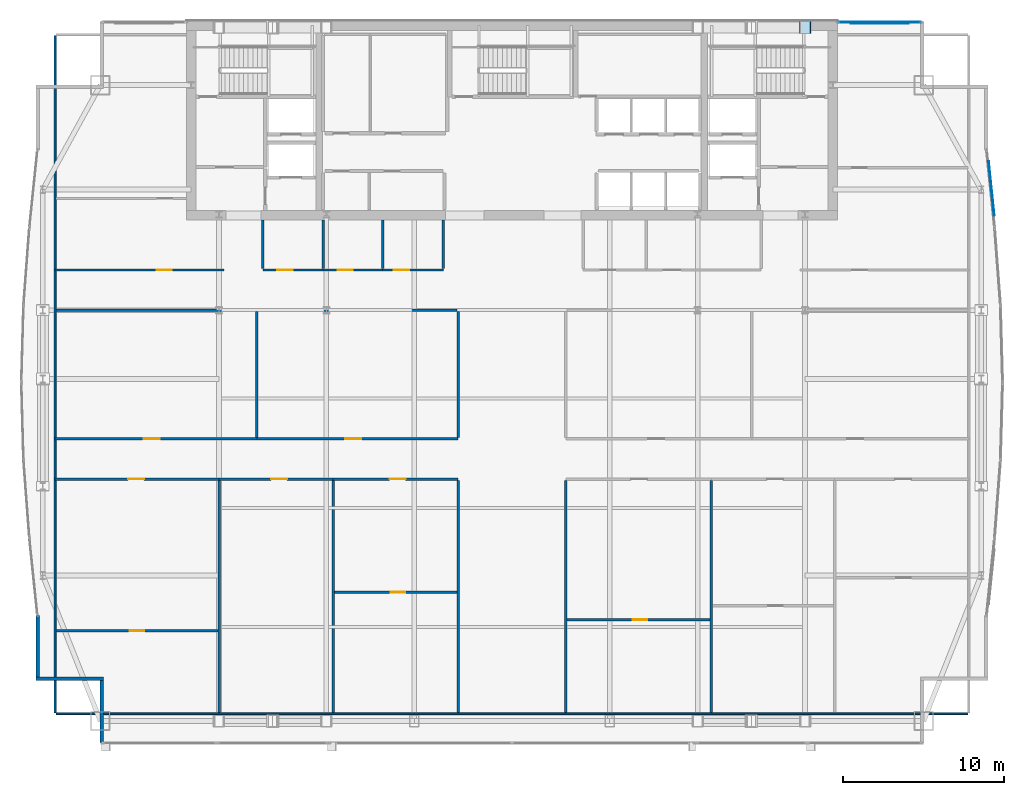
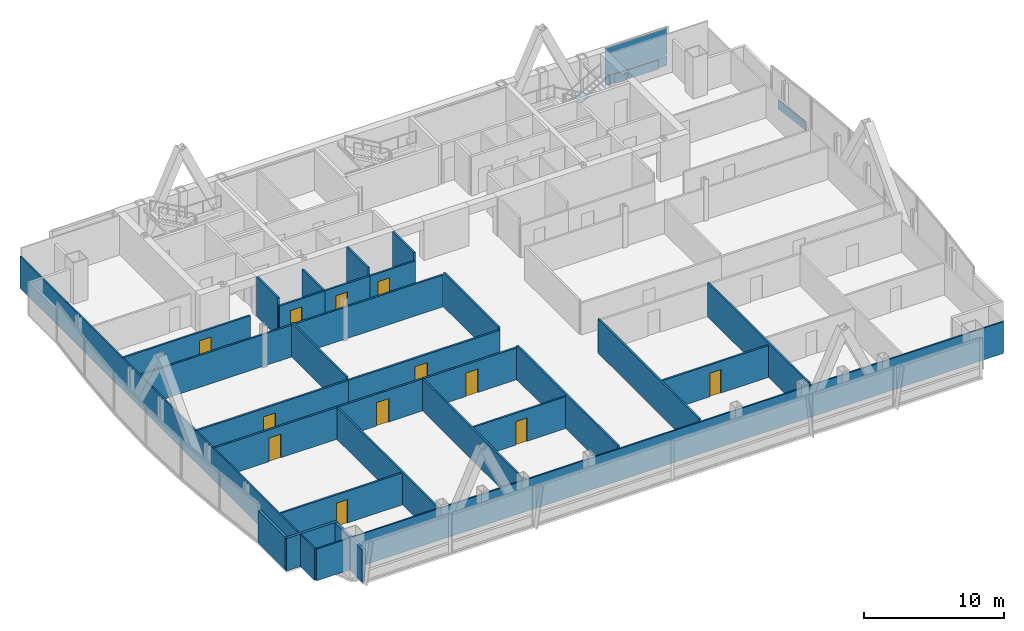
# One storey, part 27 of 32: 29 walls, 12 doors, 5 plates, 12 openings, 2 elements without a shape of their own.
"""IFC4 building model written with IfcOpenShell, lengths in metres."""

from ifc_helpers import new_model, si_unit, direction, frame, frame_2d, origin, origin_2d, place, context, subcontext, project, spatial, polyline, rectangle, outline, extrude, material, layer, layer_set, type_object, element, fill, aggregate, save


model = new_model("IFC4")

# Units and contexts
model_context = context("Model", 3, precision=1e-05, world=origin(), true_north=direction((0.0, 1.0)))
body_context = subcontext(model_context, "Body", "Model", "MODEL_VIEW")
ifc_project = project(units=[si_unit("LENGTHUNIT", "METRE"), si_unit("AREAUNIT", "SQUARE_METRE"), si_unit("VOLUMEUNIT", "CUBIC_METRE"), si_unit("PLANEANGLEUNIT", "RADIAN"), si_unit("MASSUNIT", "GRAM", prefix="KILO")], contexts=[model_context])

# Site, building, storey
site_placement = place(None, origin())
site = spatial("IfcSite", under=ifc_project, at=site_placement, CompositionType="ELEMENT")
building_placement = place(site_placement, origin())
building = spatial("IfcBuilding", under=site, at=building_placement, Name="Khoronbel Lancet Exchange", CompositionType="ELEMENT")
storey_placement = place(building_placement, frame((0.0, 0.0, 231.800048828125)))
storey = spatial("IfcBuildingStorey", under=building, at=storey_placement, Name="L59", CompositionType="ELEMENT", Elevation=231.800048828125)

# Curtain wall, plate
ifc_material_1 = material(Name="Low-E Solar Control Insulating Glass", Category="glass")
curtain_wall_type_1 = type_object("IfcCurtainWallType", Name="CW-3", PredefinedType="NOTDEFINED", material=ifc_material_1)
curtain_wall_1_placement = place(storey_placement, origin())
curtain_wall_1 = element("IfcCurtainWall", 1, at=curtain_wall_1_placement, inside=storey, type_object=curtain_wall_type_1, Name="Unitised curtain wall CW-L59-NEFLK", PredefinedType="NOTDEFINED")
ifc_material_2 = material(Name="Bronze-Anodised Aluminium 6063-T6", Category="aluminium")
ifc_layer_1 = layer(ifc_material_2, 0.050048828125, Name="Bronze-Anodised Aluminium 6063-T6")
ifc_layer_set_1 = layer_set([ifc_layer_1], Name="Bronze-Anodised Aluminium 6063-T6")
plate_type_1 = type_object("IfcPlateType", Name="PLT-CSP1", PredefinedType="SHEET", material=ifc_layer_set_1)
plate_1_placement = place(storey_placement, frame((59.320068359375, 53.550048828125, 0.0498046875), z_axis=(0.0, 0.0, 1.0), x_axis=(-1.0, 0.0, 0.0)))
plate_1 = element("IfcPlate", 2, at=plate_1_placement, type_object=plate_type_1, Name="Insulated bronze spandrel cassette CW-L59-NEFLK", PredefinedType="SHEET", context=body_context, shape_type="SweptSolid", body=[
    extrude(rectangle(XDim=3.60009765625, YDim=0.050048828125, at=origin_2d()), origin(), (0.0, 0.0, 1.0), 0.800048828125),
])

curtain_wall_type_2 = type_object("IfcCurtainWallType", Name="CW-4", PredefinedType="NOTDEFINED", material=ifc_material_1)
curtain_wall_2_placement = place(storey_placement, origin())
curtain_wall_2 = element("IfcCurtainWall", 3, at=curtain_wall_2_placement, inside=storey, type_object=curtain_wall_type_2, Name="Unitised curtain wall CW-L59-E17", PredefinedType="NOTDEFINED")
plate_2_placement = place(storey_placement, frame((66.27001953125, 43.283203125, 0.0498046875), z_axis=(0.0, 0.0, 1.0), x_axis=(0.102909675768, -0.99469070501, 0.0)))
plate_2 = element("IfcPlate", 4, at=plate_2_placement, type_object=plate_type_1, Name="Insulated bronze spandrel cassette CW-L59-E17", PredefinedType="SHEET", context=body_context, shape_type="SweptSolid", body=[
    extrude(rectangle(XDim=3.40380859375, YDim=0.050048828125, at=origin_2d()), origin(), (0.0, 0.0, 1.0), 0.800048828125),
])
aggregate(curtain_wall_2, [plate_2])

# Plate
ifc_layer_2 = layer(ifc_material_1, 0.035888671875, Name="Low-E Solar Control Insulating Glass")
ifc_layer_set_2 = layer_set([ifc_layer_2], Name="Low-E Solar Control Insulating Glass")
plate_type_2 = type_object("IfcPlateType", Name="PLT-CWP1", PredefinedType="CURTAIN_PANEL", material=ifc_layer_set_2)
plate_3_placement = place(storey_placement, frame((59.320068359375, 53.610107421875, 0.0849609375), z_axis=(0.0, 0.0, 1.0), x_axis=(-1.0, 0.0, 0.0)))
plate_3 = element("IfcPlate", 5, at=plate_3_placement, type_object=plate_type_2, Name="CW3 panel 1.1", PredefinedType="CURTAIN_PANEL", context=body_context, shape_type="SweptSolid", body=[
    extrude(rectangle(XDim=5.110107421875, YDim=0.0380859375, at=origin_2d()), origin(), (0.0, 0.0, 1.0), 0.822509765625),
])

plate_4_placement = place(storey_placement, frame((59.320068359375, 53.610107421875, 0.9921875), z_axis=(0.0, 0.0, 1.0), x_axis=(-1.0, 0.0, 0.0)))
plate_4 = element("IfcPlate", 6, at=plate_4_placement, type_object=plate_type_2, Name="CW3 panel 1.2", PredefinedType="CURTAIN_PANEL", context=body_context, shape_type="SweptSolid", body=[
    extrude(rectangle(XDim=5.110107421875, YDim=0.0380859375, at=origin_2d()), origin(), (0.0, 0.0, 1.0), 2.362548828125),
])

aggregate(curtain_wall_1, [plate_3, plate_4, plate_1])

ifc_material_3 = material(Name="Steel S460", Category="steel")
ifc_layer_3 = layer(ifc_material_3, 0.044921875, Name="Steel S460")
ifc_layer_set_3 = layer_set([ifc_layer_3], Name="Steel S460")
plate_type_3 = type_object("IfcPlateType", Name="PLT-ECP1", PredefinedType="USERDEFINED", material=ifc_layer_set_3)
plate_5_placement = place(storey_placement, frame((54.3251953125, 53.659912109375, -0.14892578125), z_axis=(-0.420544868923, 0.0, 0.907271741664), x_axis=(0.0, -1.0, 0.0)))
element("IfcPlate", 7, at=plate_5_placement, inside=storey, type_object=plate_type_3, Name="Hollow end cap plate PLT-CAP-MEM-MB-T20-N-E-R-0", ObjectType="STIFFENER_PLATE", PredefinedType="USERDEFINED", context=body_context, shape_type="SweptSolid", body=[
    extrude(outline(polyline([(0.0, 0.0), (0.760009765625, 0.0), (0.760009765625, 0.760009765625), (0.0, 0.760009765625), (0.0, 0.0)])), origin(), (0.0, 0.0, -1.0), 0.044921875),
])

# Walls
ifc_material_4 = material(Name="Precast concrete C40/50", Category="concrete")
ifc_layer_4 = layer(ifc_material_4, 0.25, Name="Precast concrete C40/50")
ifc_layer_set_4 = layer_set([ifc_layer_4], Name="Precast concrete C40/50")
wall_type_1 = type_object("IfcWallType", Name="WL-EXT250", PredefinedType="SOLIDWALL", material=ifc_layer_set_4)
wall_1_placement = place(storey_placement, frame((10.93994140625, 8.77001953125, 0.0), z_axis=(0.0, 0.0, 1.0), x_axis=(0.0, 1.0, 0.0)))
element("IfcWall", 8, at=wall_1_placement, inside=storey, type_object=wall_type_1, Name="Level L59 notched-corner limestone pier 01", PredefinedType="SOLIDWALL", context=body_context, shape_type="SweptSolid", body=[
    extrude(rectangle(XDim=3.909912109375, YDim=0.219970703125, at=frame_2d((1.955078125, 0.0))), origin(), (0.0, 0.0, 1.0), 2.829833984375),
])
wall_2_placement = place(storey_placement, frame((11.050048828125, 12.7900390625, 0.0), z_axis=(0.0, 0.0, 1.0), x_axis=(-1.0, 0.0, 0.0)))
element("IfcWall", 9, at=wall_2_placement, inside=storey, type_object=wall_type_1, Name="Level L59 notched-corner limestone pier 02", PredefinedType="SOLIDWALL", context=body_context, shape_type="SweptSolid", body=[
    extrude(rectangle(XDim=4.219970703125, YDim=0.219970703125, at=frame_2d((2.10986328125, 0.0))), origin(), (0.0, 0.0, 1.0), 2.829833984375),
])
wall_3_placement = place(storey_placement, frame((6.93994140625, 12.89990234375, 0.0), z_axis=(0.0, 0.0, 1.0), x_axis=(0.0, 1.0, 0.0)))
element("IfcWall", 10, at=wall_3_placement, inside=storey, type_object=wall_type_1, Name="Level L59 notched-corner limestone pier 03", PredefinedType="SOLIDWALL", context=body_context, shape_type="SweptSolid", body=[
    extrude(rectangle(XDim=3.82470703125, YDim=0.219970703125, at=frame_2d((1.912353515625, 0.0))), origin(), (0.0, 0.0, 1.0), 2.829833984375),
])
ifc_material_5 = material(Name="Acoustic Metal-Stud & Mineral-Wool Gypsum Partition 120 mm", Category="gypsum")
ifc_layer_5 = layer(ifc_material_5, 0.1201171875, Name="Acoustic Metal-Stud & Mineral-Wool Gypsum Partition 120 mm")
ifc_layer_set_5 = layer_set([ifc_layer_5], Name="Acoustic Metal-Stud & Mineral-Wool Gypsum Partition 120 mm")
wall_type_2 = type_object("IfcWallType", Name="WL-PRT120", PredefinedType="PARTITIONING", material=ifc_layer_set_5)
wall_4_placement = place(storey_placement, frame((20.949951171875, 38.280029296875, 0.0), z_axis=(0.0, 0.0, 1.0), x_axis=(0.0, 1.0, 0.0)))
element("IfcWall", 11, at=wall_4_placement, inside=storey, type_object=wall_type_2, Name="Level L59 interior partition PW-WC-0", PredefinedType="PARTITIONING", context=body_context, shape_type="SweptSolid", body=[
    extrude(rectangle(XDim=3.02001953125, YDim=0.14990234375, at=frame_2d((1.510009765625, 0.0))), origin(), (0.0, 0.0, 1.0), 3.43994140625),
])
wall_5_placement = place(storey_placement, frame((24.699951171875, 38.280029296875, 0.0), z_axis=(0.0, 0.0, 1.0), x_axis=(0.0, 1.0, 0.0)))
element("IfcWall", 12, at=wall_5_placement, inside=storey, type_object=wall_type_2, Name="Level L59 interior partition PW-WC-1", PredefinedType="PARTITIONING", context=body_context, shape_type="SweptSolid", body=[
    extrude(rectangle(XDim=3.02001953125, YDim=0.14990234375, at=frame_2d((1.510009765625, 0.0))), origin(), (0.0, 0.0, 1.0), 2.780029296875),
])
for number, where, z_axis, x_axis, name in (
    (13, (28.39990234375, 38.280029296875, 0.0), (0.0, 0.0, 1.0), (0.0, 1.0, 0.0), "Level L59 interior partition PW-WC-2"),
    (14, (32.179931640625, 38.280029296875, 0.0), (0.0, 0.0, 1.0), (0.0, 1.0, 0.0), "Level L59 interior partition PW-WC-3"),
):
    element("IfcWall", number, at=place(storey_placement, frame(where, z_axis=z_axis, x_axis=x_axis)), inside=storey, type_object=wall_type_2, Name=name, PredefinedType="PARTITIONING", context=body_context, shape_type="SweptSolid", body=[
        extrude(rectangle(XDim=3.02001953125, YDim=0.14990234375, at=frame_2d((1.510009765625, 0.0))), origin(), (0.0, 0.0, 1.0), 3.43994140625),
    ])

# Wall, opening, door
wall_6_placement = place(storey_placement, frame((8.094970703125, 15.763916015625, 0.0), z_axis=(0.0, 0.0, 1.0), x_axis=(1.0, 0.0, 0.0)))
wall_6 = element("IfcWall", 15, at=wall_6_placement, inside=storey, type_object=wall_type_2, Name="Level L59 interior partition PW-Z3SW-H1", PredefinedType="PARTITIONING", context=body_context, shape_type="SweptSolid", body=[
    extrude(rectangle(XDim=10.06591796875, YDim=0.14990234375, at=frame_2d((5.032958984375, 0.0))), origin(), (0.0, 0.0, 1.0), 2.780029296875),
])
opening_1_placement = place(wall_6_placement, frame((4.594970703125, 0.0, 0.0)))
opening_1 = element("IfcOpeningElement", 16, at=opening_1_placement, cuts=wall_6, Name="Opening D5", PredefinedType="OPENING", context=body_context, shape_type="SweptSolid", body=[
    extrude(rectangle(XDim=0.89990234375, YDim=2.050048828125, at=frame_2d((0.449951171875, 1.02490234375))), frame((0.0, 0.0849609375, 0.0), z_axis=(0.0, -1.0, 0.0), x_axis=(1.0, 0.0, 0.0)), (0.0, 0.0, 1.0), 0.169921875),
])
ifc_material_6 = material(Name="Acoustic Timber Pantry & Support Door", Category="wood")
door_type_1 = type_object("IfcDoorType", Name="DR-D5", OperationType="NOTDEFINED", PredefinedType="DOOR", material=ifc_material_6)
door_1_placement = place(opening_1_placement, origin())
door_1 = element("IfcDoor", 17, at=door_1_placement, inside=storey, type_object=door_type_1, Name="Z3SW inner door 1 L59-1", OperationType="SINGLE_SWING_LEFT", OverallHeight=2.050048828125, OverallWidth=0.89990234375, PredefinedType="DOOR", context=body_context, shape_type="SweptSolid", body=[
    extrude(rectangle(XDim=0.89990234375, YDim=2.050048828125, at=frame_2d((0.449951171875, 1.02490234375))), frame((0.0, 0.02490234375, 0.0), z_axis=(0.0, -1.0, 0.0), x_axis=(1.0, 0.0, 0.0)), (0.0, 0.0, 1.0), 0.050048828125),
])
fill(opening_1, door_1)

wall_7_placement = place(storey_placement, frame((25.40283203125, 18.165771484375, 0.0), z_axis=(0.0, 0.0, 1.0), x_axis=(1.0, 0.0, 0.0)))
wall_7 = element("IfcWall", 18, at=wall_7_placement, inside=storey, type_object=wall_type_2, Name="Level L59 interior partition PW-Z3SW-H3", PredefinedType="PARTITIONING", context=body_context, shape_type="SweptSolid", body=[
    extrude(rectangle(XDim=7.6171875, YDim=0.14990234375, at=frame_2d((3.80859375, 0.0))), origin(), (0.0, 0.0, 1.0), 2.780029296875),
])
opening_2_placement = place(wall_7_placement, frame((3.499755859375, 0.0, 0.0)))
opening_2 = element("IfcOpeningElement", 19, at=opening_2_placement, cuts=wall_7, Name="Opening D5", PredefinedType="OPENING", context=body_context, shape_type="SweptSolid", body=[
    extrude(rectangle(XDim=0.89990234375, YDim=2.050048828125, at=frame_2d((0.449951171875, 1.02490234375))), frame((0.0, 0.0849609375, 0.0), z_axis=(0.0, -1.0, 0.0), x_axis=(1.0, 0.0, 0.0)), (0.0, 0.0, 1.0), 0.169921875),
])
door_2_placement = place(opening_2_placement, origin())
door_2 = element("IfcDoor", 20, at=door_2_placement, inside=storey, type_object=door_type_1, Name="Z3SW inner door 3 L59-1", OperationType="SINGLE_SWING_RIGHT", OverallHeight=2.050048828125, OverallWidth=0.89990234375, PredefinedType="DOOR", context=body_context, shape_type="SweptSolid", body=[
    extrude(rectangle(XDim=0.89990234375, YDim=2.050048828125, at=frame_2d((0.449951171875, 1.02490234375))), frame((0.0, 0.02490234375, 0.0), z_axis=(0.0, -1.0, 0.0), x_axis=(1.0, 0.0, 0.0)), (0.0, 0.0, 1.0), 0.050048828125),
])
fill(opening_2, door_2)

wall_8_placement = place(storey_placement, frame((39.8798828125, 16.43994140625, 0.0), z_axis=(0.0, 0.0, 1.0), x_axis=(1.0, 0.0, 0.0)))
wall_8 = element("IfcWall", 21, at=wall_8_placement, inside=storey, type_object=wall_type_2, Name="Level L59 interior partition PW-Z3SE-H1", PredefinedType="PARTITIONING", context=body_context, shape_type="SweptSolid", body=[
    extrude(rectangle(XDim=8.893310546875, YDim=0.14990234375, at=frame_2d((4.44677734375, 0.0))), origin(), (0.0, 0.0, 1.0), 2.780029296875),
])
opening_3_placement = place(wall_8_placement, frame((4.073974609375, 0.0, 0.0)))
opening_3 = element("IfcOpeningElement", 22, at=opening_3_placement, cuts=wall_8, Name="Opening D5", PredefinedType="OPENING", context=body_context, shape_type="SweptSolid", body=[
    extrude(rectangle(XDim=0.89990234375, YDim=2.050048828125, at=frame_2d((0.449951171875, 1.02490234375))), frame((0.0, 0.0849609375, 0.0), z_axis=(0.0, -1.0, 0.0), x_axis=(1.0, 0.0, 0.0)), (0.0, 0.0, 1.0), 0.169921875),
])
door_3_placement = place(opening_3_placement, origin())
door_3 = element("IfcDoor", 23, at=door_3_placement, inside=storey, type_object=door_type_1, Name="Z3SE inner door 1 L59-1", OperationType="SINGLE_SWING_RIGHT", OverallHeight=2.050048828125, OverallWidth=0.89990234375, PredefinedType="DOOR", context=body_context, shape_type="SweptSolid", body=[
    extrude(rectangle(XDim=0.89990234375, YDim=2.050048828125, at=frame_2d((0.449951171875, 1.02490234375))), frame((0.0, 0.02490234375, 0.0), z_axis=(0.0, -1.0, 0.0), x_axis=(1.0, 0.0, 0.0)), (0.0, 0.0, 1.0), 0.050048828125),
])
fill(opening_3, door_3)

# Walls
wall_9_placement = place(storey_placement, frame((8.030029296875, 10.6650390625, 0.0), z_axis=(0.0, 0.0, 1.0), x_axis=(0.0, 1.0, 0.0)))
element("IfcWall", 24, at=wall_9_placement, inside=storey, type_object=wall_type_2, Name="Level L59 interior partition PW-LIN-W", PredefinedType="PARTITIONING", context=body_context, shape_type="SweptSolid", body=[
    extrude(rectangle(XDim=42.10986328125, YDim=0.1201171875, at=frame_2d((21.054931640625, 0.0))), origin(), (0.0, 0.0, 1.0), 2.780029296875),
])
wall_10_placement = place(storey_placement, frame((8.094970703125, 10.60009765625, 0.0), z_axis=(0.0, 0.0, 1.0), x_axis=(1.0, 0.0, 0.0)))
element("IfcWall", 25, at=wall_10_placement, inside=storey, type_object=wall_type_2, Name="Level L59 interior partition PW-LIN-S", PredefinedType="PARTITIONING", context=body_context, shape_type="SweptSolid", body=[
    extrude(rectangle(XDim=56.7099609375, YDim=0.1201171875, at=frame_2d((28.35498046875, 0.0))), origin(), (0.0, 0.0, 1.0), 2.780029296875),
])

# Wall, opening, door
ifc_material_7 = material(Name="Fire-Rated Twin-Stud Acoustic Gypsum Partition 150 mm", Category="gypsum")
ifc_layer_6 = layer(ifc_material_7, 0.14990234375, Name="Fire-Rated Twin-Stud Acoustic Gypsum Partition 150 mm")
ifc_layer_set_6 = layer_set([ifc_layer_6], Name="Fire-Rated Twin-Stud Acoustic Gypsum Partition 150 mm")
wall_type_3 = type_object("IfcWallType", Name="WL-PRT150C", PredefinedType="PARTITIONING", material=ifc_layer_set_6)
wall_11_placement = place(storey_placement, frame((20.949951171875, 38.199951171875, 0.0), z_axis=(0.0, 0.0, 1.0), x_axis=(1.0, 0.0, 0.0)))
wall_11 = element("IfcWall", 26, at=wall_11_placement, inside=storey, type_object=wall_type_3, Name="Level L59 interior partition PW-WC-S1", PredefinedType="PARTITIONING", context=body_context, shape_type="SweptSolid", body=[
    extrude(rectangle(XDim=3.75, YDim=0.14990234375, at=frame_2d((1.875, 0.0))), origin(), (0.0, 0.0, 1.0), 2.780029296875),
])
opening_4_placement = place(wall_11_placement, frame((0.89990234375, 0.0, 0.0)))
opening_4 = element("IfcOpeningElement", 27, at=opening_4_placement, cuts=wall_11, Name="Opening D4", PredefinedType="OPENING", context=body_context, shape_type="SweptSolid", body=[
    extrude(rectangle(XDim=0.949951171875, YDim=2.050048828125, at=frame_2d((0.47509765625, 1.02490234375))), frame((0.0, 0.0849609375, 0.0), z_axis=(0.0, -1.0, 0.0), x_axis=(1.0, 0.0, 0.0)), (0.0, 0.0, 1.0), 0.169921875),
])
ifc_material_8 = material(Name="Moisture-Resistant HPL Washroom Door", Category="wood")
door_type_2 = type_object("IfcDoorType", Name="DR-D4", OperationType="NOTDEFINED", PredefinedType="DOOR", material=ifc_material_8)
door_4_placement = place(opening_4_placement, origin())
door_4 = element("IfcDoor", 28, at=door_4_placement, inside=storey, type_object=door_type_2, Name="Male washroom door L59-1", OperationType="SINGLE_SWING_LEFT", OverallHeight=2.050048828125, OverallWidth=0.949951171875, PredefinedType="DOOR", context=body_context, shape_type="SweptSolid", body=[
    extrude(rectangle(XDim=0.949951171875, YDim=2.050048828125, at=frame_2d((0.47509765625, 1.02490234375))), frame((0.0, 0.02490234375, 0.0), z_axis=(0.0, -1.0, 0.0), x_axis=(1.0, 0.0, 0.0)), (0.0, 0.0, 1.0), 0.050048828125),
])
fill(opening_4, door_4)

wall_12_placement = place(storey_placement, frame((24.699951171875, 38.199951171875, 0.0), z_axis=(0.0, 0.0, 1.0), x_axis=(1.0, 0.0, 0.0)))
wall_12 = element("IfcWall", 29, at=wall_12_placement, inside=storey, type_object=wall_type_3, Name="Level L59 interior partition PW-WC-S2", PredefinedType="PARTITIONING", context=body_context, shape_type="SweptSolid", body=[
    extrude(rectangle(XDim=3.699951171875, YDim=0.14990234375, at=frame_2d((1.85009765625, 0.0))), origin(), (0.0, 0.0, 1.0), 2.780029296875),
])
opening_5_placement = place(wall_12_placement, frame((0.89990234375, 0.0, 0.0)))
opening_5 = element("IfcOpeningElement", 30, at=opening_5_placement, cuts=wall_12, Name="Opening D4", PredefinedType="OPENING", context=body_context, shape_type="SweptSolid", body=[
    extrude(rectangle(XDim=0.949951171875, YDim=2.050048828125, at=frame_2d((0.47509765625, 1.02490234375))), frame((0.0, 0.0849609375, 0.0), z_axis=(0.0, -1.0, 0.0), x_axis=(1.0, 0.0, 0.0)), (0.0, 0.0, 1.0), 0.169921875),
])
door_5_placement = place(opening_5_placement, origin())
door_5 = element("IfcDoor", 31, at=door_5_placement, inside=storey, type_object=door_type_2, Name="Female washroom door L59-1", OperationType="SINGLE_SWING_RIGHT", OverallHeight=2.050048828125, OverallWidth=0.949951171875, PredefinedType="DOOR", context=body_context, shape_type="SweptSolid", body=[
    extrude(rectangle(XDim=0.949951171875, YDim=2.050048828125, at=frame_2d((0.47509765625, 1.02490234375))), frame((0.0, 0.02490234375, 0.0), z_axis=(0.0, -1.0, 0.0), x_axis=(1.0, 0.0, 0.0)), (0.0, 0.0, 1.0), 0.050048828125),
])
fill(opening_5, door_5)

wall_13_placement = place(storey_placement, frame((28.39990234375, 38.199951171875, 0.0), z_axis=(0.0, 0.0, 1.0), x_axis=(1.0, 0.0, 0.0)))
wall_13 = element("IfcWall", 32, at=wall_13_placement, inside=storey, type_object=wall_type_3, Name="Level L59 interior partition PW-WC-S3", PredefinedType="PARTITIONING", context=body_context, shape_type="SweptSolid", body=[
    extrude(rectangle(XDim=3.780029296875, YDim=0.14990234375, at=frame_2d((1.89013671875, 0.0))), origin(), (0.0, 0.0, 1.0), 2.780029296875),
])
opening_6_placement = place(wall_13_placement, frame((0.699951171875, 0.0, 0.0)))
opening_6 = element("IfcOpeningElement", 33, at=opening_6_placement, cuts=wall_13, Name="Opening D4", PredefinedType="OPENING", context=body_context, shape_type="SweptSolid", body=[
    extrude(rectangle(XDim=0.949951171875, YDim=2.050048828125, at=frame_2d((0.47509765625, 1.02490234375))), frame((0.0, 0.0849609375, 0.0), z_axis=(0.0, -1.0, 0.0), x_axis=(1.0, 0.0, 0.0)), (0.0, 0.0, 1.0), 0.169921875),
])
door_6_placement = place(opening_6_placement, origin())
door_6 = element("IfcDoor", 34, at=door_6_placement, inside=storey, type_object=door_type_2, Name="Accessible WC door L59-1", OperationType="SINGLE_SWING_LEFT", OverallHeight=2.050048828125, OverallWidth=0.949951171875, PredefinedType="DOOR", context=body_context, shape_type="SweptSolid", body=[
    extrude(rectangle(XDim=0.949951171875, YDim=2.050048828125, at=frame_2d((0.47509765625, 1.02490234375))), frame((0.0, 0.02490234375, 0.0), z_axis=(0.0, -1.0, 0.0), x_axis=(1.0, 0.0, 0.0)), (0.0, 0.0, 1.0), 0.050048828125),
])
fill(opening_6, door_6)

wall_14_placement = place(storey_placement, frame((8.030029296875, 38.199951171875, 0.0), z_axis=(0.0, 0.0, 1.0), x_axis=(1.0, 0.0, 0.0)))
wall_14 = element("IfcWall", 35, at=wall_14_placement, inside=storey, type_object=wall_type_3, Name="Level L59 interior partition PW-NW-S", PredefinedType="PARTITIONING", context=body_context, shape_type="SweptSolid", body=[
    extrude(rectangle(XDim=10.52001953125, YDim=0.14990234375, at=frame_2d((5.260009765625, 0.0))), origin(), (0.0, 0.0, 1.0), 2.780029296875),
])
opening_7_placement = place(wall_14_placement, frame((6.320068359375, 0.0, 0.0)))
opening_7 = element("IfcOpeningElement", 36, at=opening_7_placement, cuts=wall_14, Name="Opening D1", PredefinedType="OPENING", context=body_context, shape_type="SweptSolid", body=[
    extrude(rectangle(XDim=0.949951171875, YDim=2.050048828125, at=frame_2d((0.47509765625, 1.02490234375))), frame((0.0, 0.0849609375, 0.0), z_axis=(0.0, -1.0, 0.0), x_axis=(1.0, 0.0, 0.0)), (0.0, 0.0, 1.0), 0.169921875),
])
ifc_material_9 = material(Name="Acoustic Veneered Timber & Bronze Frame Door", Category="wood")
door_type_3 = type_object("IfcDoorType", Name="DR-D1", OperationType="NOTDEFINED", PredefinedType="DOOR", material=ifc_material_9)
door_7_placement = place(opening_7_placement, origin())
door_7 = element("IfcDoor", 37, at=door_7_placement, inside=storey, type_object=door_type_3, Name="NW corner room door L59-1", OperationType="SINGLE_SWING_RIGHT", OverallHeight=2.050048828125, OverallWidth=0.949951171875, PredefinedType="DOOR", context=body_context, shape_type="SweptSolid", body=[
    extrude(rectangle(XDim=0.949951171875, YDim=2.050048828125, at=frame_2d((0.47509765625, 1.02490234375))), frame((0.0, 0.02490234375, 0.0), z_axis=(0.0, -1.0, 0.0), x_axis=(1.0, 0.0, 0.0)), (0.0, 0.0, 1.0), 0.050048828125),
])
fill(opening_7, door_7)

# Walls
for number, where, z_axis, x_axis, name in (
    (38, (33.10009765625, 10.6650390625, 0.0), (0.0, 0.0, 1.0), (0.0, 1.0, 0.0), "Level L59 interior partition PW-Z3-CW1"),
    (39, (39.800048828125, 10.6650390625, 0.0), (0.0, 0.0, 1.0), (0.0, 1.0, 0.0), "Level L59 interior partition PW-Z3-CE1"),
):
    element("IfcWall", number, at=place(storey_placement, frame(where, z_axis=z_axis, x_axis=x_axis)), inside=storey, type_object=wall_type_3, Name=name, PredefinedType="PARTITIONING", context=body_context, shape_type="SweptSolid", body=[
        extrude(rectangle(XDim=14.449951171875, YDim=0.14990234375, at=frame_2d((7.22509765625, 0.0))), origin(), (0.0, 0.0, 1.0), 2.97998046875),
    ])
wall_15_placement = place(storey_placement, frame((33.10009765625, 27.784912109375, 0.0), z_axis=(0.0, 0.0, 1.0), x_axis=(0.0, 1.0, 0.0)))
element("IfcWall", 40, at=wall_15_placement, inside=storey, type_object=wall_type_3, Name="Level L59 interior partition PW-Z3-CW2", PredefinedType="PARTITIONING", context=body_context, shape_type="SweptSolid", body=[
    extrude(rectangle(XDim=7.835205078125, YDim=0.14990234375, at=frame_2d((3.91748046875, 0.0))), origin(), (0.0, 0.0, 1.0), 2.97998046875),
])
wall_16_placement = place(storey_placement, frame((8.094970703125, 35.699951171875, 0.0), z_axis=(0.0, 0.0, 1.0), x_axis=(1.0, 0.0, 0.0)))
element("IfcWall", 41, at=wall_16_placement, inside=storey, type_object=wall_type_3, Name="Level L59 interior partition PW-Z3-WN", PredefinedType="PARTITIONING", context=body_context, shape_type="SweptSolid", body=[
    extrude(rectangle(XDim=24.925048828125, YDim=0.14990234375, at=frame_2d((12.46240234375, 0.0))), origin(), (0.0, 0.0, 1.0), 2.780029296875),
])
for number, where, z_axis, x_axis, name in (
    (42, (18.240966796875, 10.6650390625, 0.0), (0.0, 0.0, 1.0), (0.0, 1.0, 0.0), "Level L59 interior partition PW-Z3SW-V1"),
    (43, (25.32275390625, 10.6650390625, 0.0), (0.0, 0.0, 1.0), (0.0, 1.0, 0.0), "Level L59 interior partition PW-Z3SW-V2"),
):
    element("IfcWall", number, at=place(storey_placement, frame(where, z_axis=z_axis, x_axis=x_axis)), inside=storey, type_object=wall_type_3, Name=name, PredefinedType="PARTITIONING", context=body_context, shape_type="SweptSolid", body=[
        extrude(rectangle(XDim=14.449951171875, YDim=0.14990234375, at=frame_2d((7.22509765625, 0.0))), origin(), (0.0, 0.0, 1.0), 2.780029296875),
    ])
wall_17_placement = place(storey_placement, frame((48.85302734375, 10.6650390625, 0.0), z_axis=(0.0, 0.0, 1.0), x_axis=(0.0, 1.0, 0.0)))
element("IfcWall", 44, at=wall_17_placement, inside=storey, type_object=wall_type_3, Name="Level L59 interior partition PW-Z3SE-V1", PredefinedType="PARTITIONING", context=body_context, shape_type="SweptSolid", body=[
    extrude(rectangle(XDim=14.449951171875, YDim=0.14990234375, at=frame_2d((7.22509765625, 0.0))), origin(), (0.0, 0.0, 1.0), 2.97998046875),
])
wall_18_placement = place(storey_placement, frame((20.5771484375, 27.784912109375, 0.0), z_axis=(0.0, 0.0, 1.0), x_axis=(0.0, 1.0, 0.0)))
element("IfcWall", 45, at=wall_18_placement, inside=storey, type_object=wall_type_3, Name="Level L59 interior partition PW-Z3NW-V1", PredefinedType="PARTITIONING", context=body_context, shape_type="SweptSolid", body=[
    extrude(rectangle(XDim=7.835205078125, YDim=0.14990234375, at=frame_2d((3.91748046875, 0.0))), origin(), (0.0, 0.0, 1.0), 2.97998046875),
])

# Wall, opening, door
ifc_material_10 = material(Name="Fire-Rated Twin-Stud Acoustic Gypsum Partition 160 mm", Category="gypsum")
ifc_layer_7 = layer(ifc_material_10, 0.159912109375, Name="Fire-Rated Twin-Stud Acoustic Gypsum Partition 160 mm")
ifc_layer_set_7 = layer_set([ifc_layer_7], Name="Fire-Rated Twin-Stud Acoustic Gypsum Partition 160 mm")
wall_type_4 = type_object("IfcWallType", Name="WL-PRT160C", PredefinedType="PARTITIONING", material=ifc_layer_set_7)
wall_19_placement = place(storey_placement, frame((8.030029296875, 25.199951171875, 0.0), z_axis=(0.0, 0.0, 1.0), x_axis=(1.0, 0.0, 0.0)))
wall_19 = element("IfcWall", 46, at=wall_19_placement, inside=storey, type_object=wall_type_4, Name="Level L59 interior partition PW-Z3SW-COR1", PredefinedType="PARTITIONING", context=body_context, shape_type="SweptSolid", body=[
    extrude(rectangle(XDim=10.2109375, YDim=0.159912109375, at=frame_2d((5.10546875, 0.0))), origin(), (0.0, 0.0, 1.0), 2.780029296875),
])
opening_8_placement = place(wall_19_placement, frame((4.53857421875, 0.0, 0.0)))
opening_8 = element("IfcOpeningElement", 47, at=opening_8_placement, cuts=wall_19, Name="Opening D2", PredefinedType="OPENING", context=body_context, shape_type="SweptSolid", body=[
    extrude(rectangle(XDim=1.0, YDim=2.050048828125, at=frame_2d((0.5, 1.02490234375))), frame((0.0, 0.08984375, 0.0), z_axis=(0.0, -1.0, 0.0), x_axis=(1.0, 0.0, 0.0)), (0.0, 0.0, 1.0), 0.179931640625),
])
door_type_4 = type_object("IfcDoorType", Name="DR-D2", OperationType="NOTDEFINED", PredefinedType="DOOR", material=ifc_material_9)
door_8_placement = place(opening_8_placement, origin())
door_8 = element("IfcDoor", 48, at=door_8_placement, inside=storey, type_object=door_type_4, Name="Z3SW bay 1 door L59-1", OperationType="SINGLE_SWING_RIGHT", OverallHeight=2.050048828125, OverallWidth=1.0, PredefinedType="DOOR", context=body_context, shape_type="SweptSolid", body=[
    extrude(rectangle(XDim=1.0, YDim=2.050048828125, at=frame_2d((0.5, 1.02490234375))), frame((0.0, 0.02490234375, 0.0), z_axis=(0.0, -1.0, 0.0), x_axis=(1.0, 0.0, 0.0)), (0.0, 0.0, 1.0), 0.050048828125),
])
fill(opening_8, door_8)

wall_20_placement = place(storey_placement, frame((18.240966796875, 25.199951171875, 0.0), z_axis=(0.0, 0.0, 1.0), x_axis=(1.0, 0.0, 0.0)))
wall_20 = element("IfcWall", 49, at=wall_20_placement, inside=storey, type_object=wall_type_4, Name="Level L59 interior partition PW-Z3SW-COR2", PredefinedType="PARTITIONING", context=body_context, shape_type="SweptSolid", body=[
    extrude(rectangle(XDim=7.081787109375, YDim=0.159912109375, at=frame_2d((3.541015625, 0.0))), origin(), (0.0, 0.0, 1.0), 2.780029296875),
])
opening_9_placement = place(wall_20_placement, frame((3.224365234375, 0.0, 0.0)))
opening_9 = element("IfcOpeningElement", 50, at=opening_9_placement, cuts=wall_20, Name="Opening D2", PredefinedType="OPENING", context=body_context, shape_type="SweptSolid", body=[
    extrude(rectangle(XDim=1.0, YDim=2.050048828125, at=frame_2d((0.5, 1.02490234375))), frame((0.0, 0.08984375, 0.0), z_axis=(0.0, -1.0, 0.0), x_axis=(1.0, 0.0, 0.0)), (0.0, 0.0, 1.0), 0.179931640625),
])
door_9_placement = place(opening_9_placement, origin())
door_9 = element("IfcDoor", 51, at=door_9_placement, inside=storey, type_object=door_type_4, Name="Z3SW bay 2 door L59-1", OperationType="SINGLE_SWING_RIGHT", OverallHeight=2.050048828125, OverallWidth=1.0, PredefinedType="DOOR", context=body_context, shape_type="SweptSolid", body=[
    extrude(rectangle(XDim=1.0, YDim=2.050048828125, at=frame_2d((0.5, 1.02490234375))), frame((0.0, 0.02490234375, 0.0), z_axis=(0.0, -1.0, 0.0), x_axis=(1.0, 0.0, 0.0)), (0.0, 0.0, 1.0), 0.050048828125),
])
fill(opening_9, door_9)

wall_21_placement = place(storey_placement, frame((25.32275390625, 25.199951171875, 0.0), z_axis=(0.0, 0.0, 1.0), x_axis=(1.0, 0.0, 0.0)))
wall_21 = element("IfcWall", 52, at=wall_21_placement, inside=storey, type_object=wall_type_4, Name="Level L59 interior partition PW-Z3SW-COR3", PredefinedType="PARTITIONING", context=body_context, shape_type="SweptSolid", body=[
    extrude(rectangle(XDim=7.77734375, YDim=0.159912109375, at=frame_2d((3.888671875, 0.0))), origin(), (0.0, 0.0, 1.0), 2.780029296875),
])
opening_10_placement = place(wall_21_placement, frame((3.516357421875, 0.0, 0.0)))
opening_10 = element("IfcOpeningElement", 53, at=opening_10_placement, cuts=wall_21, Name="Opening D2", PredefinedType="OPENING", context=body_context, shape_type="SweptSolid", body=[
    extrude(rectangle(XDim=1.0, YDim=2.050048828125, at=frame_2d((0.5, 1.02490234375))), frame((0.0, 0.08984375, 0.0), z_axis=(0.0, -1.0, 0.0), x_axis=(1.0, 0.0, 0.0)), (0.0, 0.0, 1.0), 0.179931640625),
])
door_10_placement = place(opening_10_placement, origin())
door_10 = element("IfcDoor", 54, at=door_10_placement, inside=storey, type_object=door_type_4, Name="Z3SW bay 3 door L59-1", OperationType="SINGLE_SWING_LEFT", OverallHeight=2.050048828125, OverallWidth=1.0, PredefinedType="DOOR", context=body_context, shape_type="SweptSolid", body=[
    extrude(rectangle(XDim=1.0, YDim=2.050048828125, at=frame_2d((0.5, 1.02490234375))), frame((0.0, 0.02490234375, 0.0), z_axis=(0.0, -1.0, 0.0), x_axis=(1.0, 0.0, 0.0)), (0.0, 0.0, 1.0), 0.050048828125),
])
fill(opening_10, door_10)

wall_22_placement = place(storey_placement, frame((8.030029296875, 27.699951171875, 0.0), z_axis=(0.0, 0.0, 1.0), x_axis=(1.0, 0.0, 0.0)))
wall_22 = element("IfcWall", 55, at=wall_22_placement, inside=storey, type_object=wall_type_4, Name="Level L59 interior partition PW-Z3NW-COR1", PredefinedType="PARTITIONING", context=body_context, shape_type="SweptSolid", body=[
    extrude(rectangle(XDim=12.547119140625, YDim=0.159912109375, at=frame_2d((6.2734375, 0.0))), origin(), (0.0, 0.0, 1.0), 2.780029296875),
])
opening_11_placement = place(wall_22_placement, frame((5.519775390625, 0.0, 0.0)))
opening_11 = element("IfcOpeningElement", 56, at=opening_11_placement, cuts=wall_22, Name="Opening D2", PredefinedType="OPENING", context=body_context, shape_type="SweptSolid", body=[
    extrude(rectangle(XDim=1.0, YDim=2.050048828125, at=frame_2d((0.5, 1.02490234375))), frame((0.0, 0.08984375, 0.0), z_axis=(0.0, -1.0, 0.0), x_axis=(1.0, 0.0, 0.0)), (0.0, 0.0, 1.0), 0.179931640625),
])
door_11_placement = place(opening_11_placement, origin())
door_11 = element("IfcDoor", 57, at=door_11_placement, inside=storey, type_object=door_type_4, Name="Z3NW bay 1 door L59-1", OperationType="SINGLE_SWING_LEFT", OverallHeight=2.050048828125, OverallWidth=1.0, PredefinedType="DOOR", context=body_context, shape_type="SweptSolid", body=[
    extrude(rectangle(XDim=1.0, YDim=2.050048828125, at=frame_2d((0.5, 1.02490234375))), frame((0.0, 0.02490234375, 0.0), z_axis=(0.0, -1.0, 0.0), x_axis=(1.0, 0.0, 0.0)), (0.0, 0.0, 1.0), 0.050048828125),
])
fill(opening_11, door_11)

wall_23_placement = place(storey_placement, frame((20.5771484375, 27.699951171875, 0.0), z_axis=(0.0, 0.0, 1.0), x_axis=(1.0, 0.0, 0.0)))
wall_23 = element("IfcWall", 58, at=wall_23_placement, inside=storey, type_object=wall_type_4, Name="Level L59 interior partition PW-Z3NW-COR2", PredefinedType="PARTITIONING", context=body_context, shape_type="SweptSolid", body=[
    extrude(rectangle(XDim=12.52294921875, YDim=0.159912109375, at=frame_2d((6.261474609375, 0.0))), origin(), (0.0, 0.0, 1.0), 2.780029296875),
])
opening_12_placement = place(wall_23_placement, frame((5.509521484375, 0.0, 0.0)))
opening_12 = element("IfcOpeningElement", 59, at=opening_12_placement, cuts=wall_23, Name="Opening D2", PredefinedType="OPENING", context=body_context, shape_type="SweptSolid", body=[
    extrude(rectangle(XDim=1.0, YDim=2.050048828125, at=frame_2d((0.5, 1.02490234375))), frame((0.0, 0.08984375, 0.0), z_axis=(0.0, -1.0, 0.0), x_axis=(1.0, 0.0, 0.0)), (0.0, 0.0, 1.0), 0.179931640625),
])
door_12_placement = place(opening_12_placement, origin())
door_12 = element("IfcDoor", 60, at=door_12_placement, inside=storey, type_object=door_type_4, Name="Z3NW bay 2 door L59-1", OperationType="SINGLE_SWING_RIGHT", OverallHeight=2.050048828125, OverallWidth=1.0, PredefinedType="DOOR", context=body_context, shape_type="SweptSolid", body=[
    extrude(rectangle(XDim=1.0, YDim=2.050048828125, at=frame_2d((0.5, 1.02490234375))), frame((0.0, 0.02490234375, 0.0), z_axis=(0.0, -1.0, 0.0), x_axis=(1.0, 0.0, 0.0)), (0.0, 0.0, 1.0), 0.050048828125),
])
fill(opening_12, door_12)

save(model, "model.ifc")
